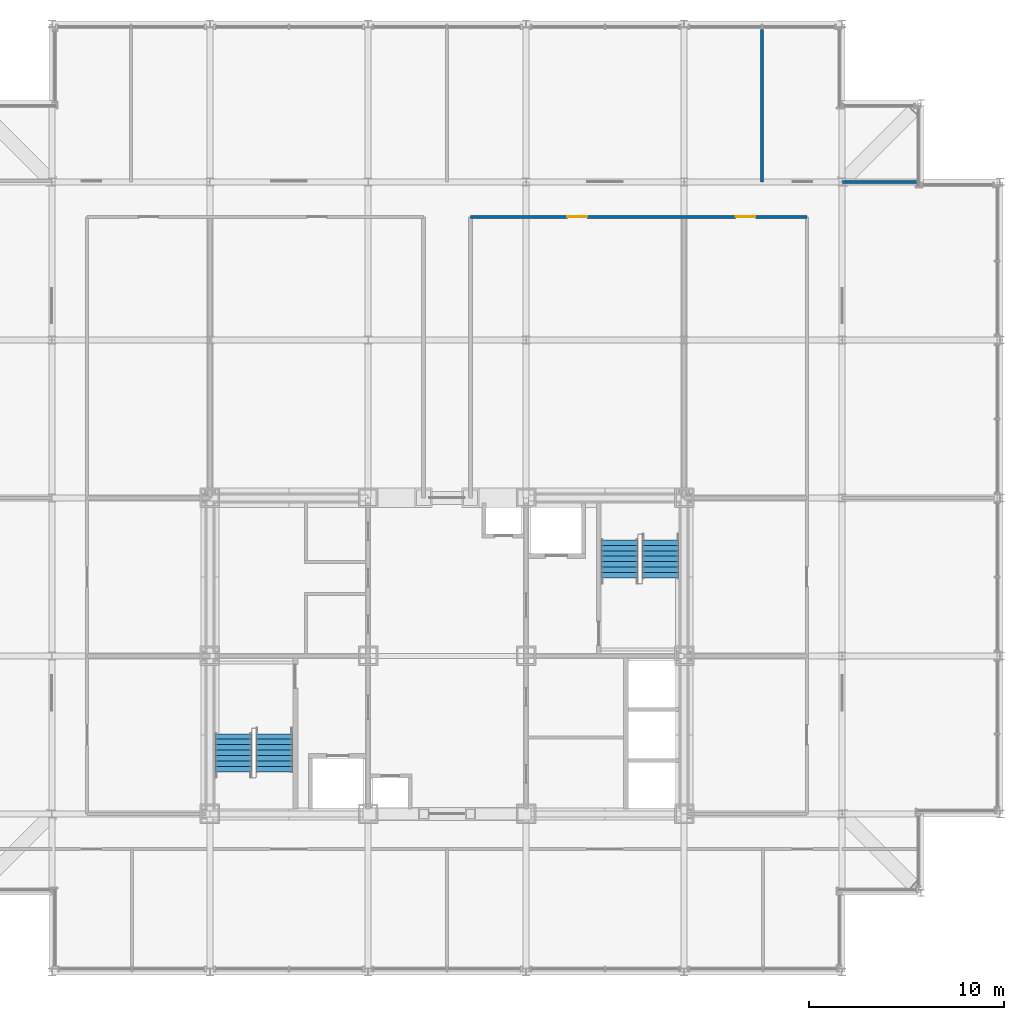
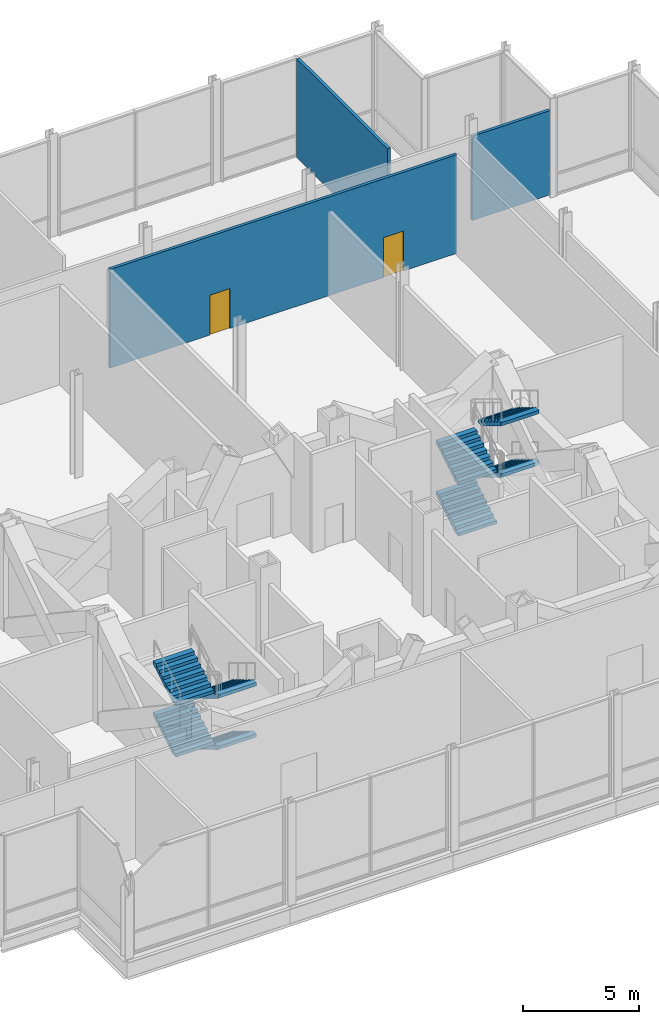
# One storey, part 20 of 21: 8 stair flights, 3 walls, 2 doors, 2 openings, 2 elements without a shape of their own.
"""IFC4 building model written with IfcOpenShell, lengths in metres."""

from ifc_helpers import new_model, si_unit, direction, frame, frame_2d, origin, place, context, subcontext, project, spatial, rectangle, extrude, polygons, source, transform, mapped, material, layer, layer_set, type_object, element, fill, aggregate, save


model = new_model("IFC4")

# Units and contexts
model_context = context("Model", 3, precision=1e-05, world=origin(), true_north=direction((0.0, 1.0)))
body_context = subcontext(model_context, "Body", "Model", "MODEL_VIEW")
ifc_project = project(units=[si_unit("LENGTHUNIT", "METRE"), si_unit("AREAUNIT", "SQUARE_METRE"), si_unit("VOLUMEUNIT", "CUBIC_METRE"), si_unit("PLANEANGLEUNIT", "RADIAN"), si_unit("MASSUNIT", "GRAM", prefix="KILO")], contexts=[model_context])

# Site, building, storey
site_placement = place(None, origin())
site = spatial("IfcSite", under=ifc_project, at=site_placement, CompositionType="ELEMENT")
building_placement = place(site_placement, origin())
building = spatial("IfcBuilding", under=site, at=building_placement, Name="Kopane Lantern Tower", CompositionType="ELEMENT")
storey_placement = place(building_placement, frame((0.0, 0.0, 298.5)))
storey = spatial("IfcBuildingStorey", under=building, at=storey_placement, Name="L76", CompositionType="ELEMENT", Elevation=298.5)

# Wall, openings, doors
ifc_material_1 = material(Name="Gypsum board on steel studs", Category="steel")
ifc_layer_1 = layer(ifc_material_1, 0.14990234375)
ifc_layer_set_1 = layer_set([ifc_layer_1], Name="CORRIDOR WALL 150 EI 60")
wall_type_1 = type_object("IfcWallType", Name="CORRIDOR WALL 150 EI 60", PredefinedType="PARTITIONING", material=ifc_layer_set_1)
wall_1_placement = place(storey_placement, frame((46.800048828125, 54.89990234375, 0.0), z_axis=(0.0, 0.0, 1.0), x_axis=(-1.0, 0.0, 0.0)))
wall_1 = element("IfcWall", 1, at=wall_1_placement, inside=storey, type_object=wall_type_1, Name="Corridor Wall 150 Ei 60 L76", PredefinedType="PARTITIONING", context=body_context, shape_type="SweptSolid", body=[
    extrude(rectangle(XDim=17.239990234375, YDim=0.14990234375, at=frame_2d((8.6201171875, 0.0))), origin(), (0.0, 0.0, 1.0), 5.18994140625),
])
opening_1_placement = place(wall_1_placement, frame((11.27490234375, 0.0, 0.0)))
opening_1 = element("IfcOpeningElement", 2, at=opening_1_placement, cuts=wall_1, Name="Opening L76-007", PredefinedType="OPENING", context=body_context, shape_type="SweptSolid", body=[
    extrude(rectangle(XDim=1.0, YDim=2.10009765625, at=frame_2d((0.5, 1.050048828125))), frame((0.0, 0.0849609375, 0.0), z_axis=(0.0, -1.0, 0.0), x_axis=(1.0, 0.0, 0.0)), (0.0, 0.0, 1.0), 0.169921875),
])
opening_2_placement = place(wall_1_placement, frame((2.64990234375, 0.0, 0.0)))
opening_2 = element("IfcOpeningElement", 3, at=opening_2_placement, cuts=wall_1, Name="Opening L76-008", PredefinedType="OPENING", context=body_context, shape_type="SweptSolid", body=[
    extrude(rectangle(XDim=1.0, YDim=2.10009765625, at=frame_2d((0.5, 1.050048828125))), frame((0.0, 0.0849609375, 0.0), z_axis=(0.0, -1.0, 0.0), x_axis=(1.0, 0.0, 0.0)), (0.0, 0.0, 1.0), 0.169921875),
])
ifc_material_2 = material(Name="Steel door set", Category="steel")
door_type = type_object("IfcDoorType", Name="DOOR D5 1000x2100 FD60", OperationType="SINGLE_SWING_LEFT", PredefinedType="DOOR", material=ifc_material_2)
door_1_placement = place(opening_1_placement, origin())
door_1 = element("IfcDoor", 4, at=door_1_placement, inside=storey, type_object=door_type, Name="Door L76-007", OperationType="SINGLE_SWING_RIGHT", OverallHeight=2.10009765625, OverallWidth=1.0, PredefinedType="DOOR", context=body_context, shape_type="SweptSolid", body=[
    extrude(rectangle(XDim=1.0, YDim=2.10009765625, at=frame_2d((0.5, 1.050048828125))), frame((0.0, 0.02490234375, 0.0), z_axis=(0.0, -1.0, 0.0), x_axis=(1.0, 0.0, 0.0)), (0.0, 0.0, 1.0), 0.050048828125),
])
fill(opening_1, door_1)
door_2_placement = place(opening_2_placement, origin())
door_2 = element("IfcDoor", 5, at=door_2_placement, inside=storey, type_object=door_type, Name="Door L76-008", OperationType="SINGLE_SWING_LEFT", OverallHeight=2.10009765625, OverallWidth=1.0, PredefinedType="DOOR", context=body_context, shape_type="SweptSolid", body=[
    extrude(rectangle(XDim=1.0, YDim=2.10009765625, at=frame_2d((0.5, 1.050048828125))), frame((0.0, 0.02490234375, 0.0), z_axis=(0.0, -1.0, 0.0), x_axis=(1.0, 0.0, 0.0)), (0.0, 0.0, 1.0), 0.050048828125),
])
fill(opening_2, door_2)

# Walls
ifc_material_3 = material(Name="Gypsum board on steel studs", Category="steel")
ifc_layer_2 = layer(ifc_material_3, 0.14990234375)
ifc_layer_set_2 = layer_set([ifc_layer_2], Name="DEMISING WALL 150 EI 60")
wall_type_2 = type_object("IfcWallType", Name="DEMISING WALL 150 EI 60", PredefinedType="PARTITIONING", material=ifc_layer_set_2)
wall_2_placement = place(storey_placement, frame((48.60009765625, 56.699951171875, 0.0), z_axis=(0.0, 0.0, 1.0), x_axis=(1.0, 0.0, 0.0)))
element("IfcWall", 6, at=wall_2_placement, inside=storey, type_object=wall_type_2, Name="Demising Wall 150 Ei 60 L76", PredefinedType="PARTITIONING", context=body_context, shape_type="SweptSolid", body=[
    extrude(rectangle(XDim=3.876953125, YDim=0.14990234375, at=frame_2d((1.9384765625, 0.0))), origin(), (0.0, 0.0, 1.0), 4.427734375),
])
wall_3_placement = place(storey_placement, frame((44.502197265625, 56.699951171875, 0.0), z_axis=(0.0, 0.0, 1.0), x_axis=(0.0, 1.0, 0.0)))
element("IfcWall", 7, at=wall_3_placement, inside=storey, type_object=wall_type_2, Name="Demising Wall 150 Ei 60 L76", PredefinedType="PARTITIONING", context=body_context, shape_type="SweptSolid", body=[
    extrude(rectangle(XDim=7.80712890625, YDim=0.14990234375, at=frame_2d((3.903564453125, 0.0))), origin(), (0.0, 0.0, 1.0), 5.18994140625),
])

# Stair, stair flights
ifc_material_4 = material(Name="Steel S355JR", Category="steel")
stair_type = type_object("IfcStairType", Name="EXIT STAIR 1900 HALF TURN", PredefinedType="HALF_TURN_STAIR", material=ifc_material_4)
stair_1_placement = place(storey_placement, origin())
stair_1 = element("IfcStair", 8, at=stair_1_placement, inside=storey, type_object=stair_type, Name="Exit stair ST1 L76", PredefinedType="HALF_TURN_STAIR")
ifc_material_5 = material(Name="Steel S355JR", Category="steel")
stair_flight_type = type_object("IfcStairFlightType", Name="STAIR FLIGHT 1900 STEEL", PredefinedType="STRAIGHT", material=ifc_material_5)
shared_shape = source(origin(), body_context, "Body", "Tessellation", [
    polygons([(1.959960938, 0.949951172, 1.181152344), (1.679931641, 0.949951172, 1.181152344), (1.679931641, -0.949951172, 1.181152344), (1.959960938, -0.949951172, 1.181152344), (0.290527344, 0.949951172, 0.0), (1.959960938, 0.949951172, 1.006347656), (1.959960938, -0.949951172, 1.006347656), (0.290527344, -0.949951172, 0.0), (0.0, 0.949951172, 0.0), (0.0, -0.949951172, 0.0), (0.280029297, 0.949951172, 0.168701172), (0.0, 0.949951172, 0.168701172), (0.0, -0.949951172, 0.168701172), (0.280029297, -0.949951172, 0.168701172), (0.280029297, 0.949951172, 0.337402344), (0.280029297, -0.949951172, 0.337402344), (0.560058594, 0.949951172, 0.337402344), (0.560058594, -0.949951172, 0.337402344), (0.560058594, 0.949951172, 0.506347656), (0.560058594, -0.949951172, 0.506347656), (0.840087891, 0.949951172, 0.506347656), (0.840087891, -0.949951172, 0.506347656), (0.840087891, 0.949951172, 0.675048828), (0.840087891, -0.949951172, 0.675048828), (1.120117188, 0.949951172, 0.675048828), (1.120117188, -0.949951172, 0.675048828), (1.120117188, 0.949951172, 0.84375), (1.120117188, -0.949951172, 0.84375), (1.399902344, 0.949951172, 0.84375), (1.399902344, -0.949951172, 0.84375), (1.399902344, 0.949951172, 1.012451172), (1.399902344, -0.949951172, 1.012451172), (1.679931641, 0.949951172, 1.012451172), (1.679931641, -0.949951172, 1.012451172), (0.0, 0.0, 0.004559491), (0.0, 0.0, 0.009118982), (0.0, 0.0, 0.013678473), (0.0, 0.0, 0.018237965), (0.0, 0.0, 0.022797456), (0.0, 0.0, 0.027356947), (0.0, 0.0, 0.031916438), (0.0, 0.0, 0.036475929), (0.0, 0.0, 0.04103542), (0.0, 0.0, 0.045594911), (0.0, 0.0, 0.050154402), (0.0, 0.0, 0.054713894), (0.0, 0.0, 0.059273385), (0.0, 0.0, 0.063832876), (0.0, 0.0, 0.068392367), (0.0, 0.0, 0.072951858), (0.0, 0.0, 0.077511349), (0.0, 0.0, 0.08207084), (0.0, 0.0, 0.086630332), (0.0, 0.0, 0.091189823), (0.0, 0.0, 0.095749314), (0.0, 0.0, 0.100308805), (0.0, 0.0, 0.104868296), (0.0, 0.0, 0.109427787), (0.0, 0.0, 0.113987278), (0.0, 0.0, 0.118546769), (0.0, 0.0, 0.123106261), (0.0, 0.0, 0.127665752), (0.0, 0.0, 0.132225243), (0.0, 0.0, 0.136784734), (0.0, 0.0, 0.141344225), (0.0, 0.0, 0.145903716), (0.0, 0.0, 0.150463207), (0.0, 0.0, 0.155022698), (0.0, 0.0, 0.15958219), (0.0, 0.0, 0.164141681), (1.959960938, 0.0, 1.011072107), (1.959960938, 0.0, 1.015796558), (1.959960938, 0.0, 1.020521009), (1.959960938, 0.0, 1.02524546), (1.959960938, 0.0, 1.029969911), (1.959960938, 0.0, 1.034694362), (1.959960938, 0.0, 1.039418813), (1.959960938, 0.0, 1.044143264), (1.959960938, 0.0, 1.048867715), (1.959960938, 0.0, 1.053592166), (1.959960938, 0.0, 1.058316617), (1.959960938, 0.0, 1.063041068), (1.959960938, 0.0, 1.067765519), (1.959960938, 0.0, 1.07248997), (1.959960938, 0.0, 1.077214421), (1.959960938, 0.0, 1.081938872), (1.959960938, 0.0, 1.086663323), (1.959960938, 0.0, 1.091387774), (1.959960938, 0.0, 1.096112226), (1.959960938, 0.0, 1.100836677), (1.959960938, 0.0, 1.105561128), (1.959960938, 0.0, 1.110285579), (1.959960938, 0.0, 1.11501003), (1.959960938, 0.0, 1.119734481), (1.959960938, 0.0, 1.124458932), (1.959960938, 0.0, 1.129183383), (1.959960938, 0.0, 1.133907834), (1.959960938, 0.0, 1.138632285), (1.959960938, 0.0, 1.143356736), (1.959960938, 0.0, 1.148081187), (1.959960938, 0.0, 1.152805638), (1.959960938, 0.0, 1.157530089), (1.959960938, 0.0, 1.16225454), (1.959960938, 0.0, 1.166978991), (1.959960938, 0.0, 1.171703442), (1.959960938, 0.0, 1.176427893)], [[[1, 2, 3]], [[1, 3, 4]], [[5, 6, 7]], [[5, 7, 8]], [[9, 5, 8]], [[9, 8, 10]], [[11, 12, 13]], [[11, 13, 14]], [[15, 11, 14]], [[15, 14, 16]], [[17, 15, 16]], [[17, 16, 18]], [[19, 17, 18]], [[19, 18, 20]], [[21, 19, 20]], [[21, 20, 22]], [[23, 21, 22]], [[23, 22, 24]], [[25, 23, 24]], [[25, 24, 26]], [[27, 25, 26]], [[27, 26, 28]], [[29, 27, 28]], [[29, 28, 30]], [[31, 29, 30]], [[31, 30, 32]], [[33, 31, 32]], [[33, 32, 34]], [[2, 33, 34]], [[2, 34, 3]], [[33, 1, 6]], [[29, 33, 6]], [[2, 1, 33]], [[25, 29, 6]], [[31, 33, 29]], [[5, 21, 25]], [[27, 29, 25]], [[17, 21, 5]], [[23, 25, 21]], [[11, 17, 5]], [[19, 21, 17]], [[9, 11, 5]], [[15, 17, 11]], [[12, 11, 9]], [[6, 5, 25]], [[7, 4, 34]], [[7, 34, 30]], [[34, 4, 3]], [[7, 30, 26]], [[30, 34, 32]], [[26, 22, 8]], [[26, 30, 28]], [[8, 22, 18]], [[22, 26, 24]], [[8, 18, 14]], [[18, 22, 20]], [[8, 14, 10]], [[14, 18, 16]], [[10, 14, 13]], [[26, 8, 7]], [[10, 35, 9]], [[10, 36, 35]], [[9, 35, 36]], [[10, 37, 36]], [[9, 36, 37]], [[10, 38, 37]], [[9, 37, 38]], [[10, 39, 38]], [[9, 38, 39]], [[10, 40, 39]], [[9, 39, 40]], [[10, 41, 40]], [[9, 40, 41]], [[10, 42, 41]], [[9, 41, 42]], [[10, 43, 42]], [[9, 42, 43]], [[10, 44, 43]], [[9, 43, 44]], [[10, 45, 44]], [[9, 44, 45]], [[10, 46, 45]], [[9, 45, 46]], [[10, 47, 46]], [[9, 46, 47]], [[10, 48, 47]], [[9, 47, 48]], [[10, 49, 48]], [[9, 48, 49]], [[10, 50, 49]], [[9, 49, 50]], [[10, 51, 50]], [[9, 50, 51]], [[10, 52, 51]], [[9, 51, 52]], [[10, 53, 52]], [[9, 52, 53]], [[10, 54, 53]], [[9, 53, 54]], [[10, 55, 54]], [[9, 54, 55]], [[10, 56, 55]], [[9, 55, 56]], [[10, 57, 56]], [[9, 56, 57]], [[10, 58, 57]], [[9, 57, 58]], [[10, 59, 58]], [[9, 58, 59]], [[10, 60, 59]], [[9, 59, 60]], [[10, 61, 60]], [[9, 60, 61]], [[10, 62, 61]], [[9, 61, 62]], [[10, 63, 62]], [[9, 62, 63]], [[10, 64, 63]], [[9, 63, 64]], [[10, 65, 64]], [[9, 64, 65]], [[10, 66, 65]], [[9, 65, 66]], [[10, 67, 66]], [[9, 66, 67]], [[10, 68, 67]], [[9, 67, 68]], [[10, 69, 68]], [[9, 68, 69]], [[10, 70, 69]], [[9, 69, 70]], [[10, 13, 70]], [[70, 13, 12]], [[9, 70, 12]], [[7, 6, 71]], [[7, 71, 72]], [[6, 72, 71]], [[7, 72, 73]], [[6, 73, 72]], [[7, 73, 74]], [[6, 74, 73]], [[7, 74, 75]], [[6, 75, 74]], [[7, 75, 76]], [[6, 76, 75]], [[7, 76, 77]], [[6, 77, 76]], [[7, 77, 78]], [[6, 78, 77]], [[7, 78, 79]], [[6, 79, 78]], [[7, 79, 80]], [[6, 80, 79]], [[7, 80, 81]], [[6, 81, 80]], [[7, 81, 82]], [[6, 82, 81]], [[7, 82, 83]], [[6, 83, 82]], [[7, 83, 84]], [[6, 84, 83]], [[7, 84, 85]], [[6, 85, 84]], [[7, 85, 86]], [[6, 86, 85]], [[7, 86, 87]], [[6, 87, 86]], [[7, 87, 88]], [[6, 88, 87]], [[7, 88, 89]], [[6, 89, 88]], [[7, 89, 90]], [[6, 90, 89]], [[7, 90, 91]], [[6, 91, 90]], [[7, 91, 92]], [[6, 92, 91]], [[7, 92, 93]], [[6, 93, 92]], [[7, 93, 94]], [[6, 94, 93]], [[7, 94, 95]], [[6, 95, 94]], [[7, 95, 96]], [[6, 96, 95]], [[7, 96, 97]], [[6, 97, 96]], [[7, 97, 98]], [[6, 98, 97]], [[7, 98, 99]], [[6, 99, 98]], [[7, 99, 100]], [[6, 100, 99]], [[7, 100, 101]], [[6, 101, 100]], [[7, 101, 102]], [[6, 102, 101]], [[7, 102, 103]], [[6, 103, 102]], [[7, 103, 104]], [[6, 104, 103]], [[7, 104, 105]], [[6, 105, 104]], [[7, 105, 106]], [[6, 106, 105]], [[7, 106, 4]], [[106, 1, 4]], [[6, 1, 106]]], closed=True),
])
stair_flight_1_placement = place(storey_placement, frame((19.5, 28.409912109375, 0.0), z_axis=(0.0, 0.0, 1.0), x_axis=(0.0, -1.0, 0.0)))
stair_flight_1 = element("IfcStairFlight", 9, at=stair_flight_1_placement, type_object=stair_flight_type, Name="ST1 flight 1", NumberOfRisers=8, NumberOfTreads=7, PredefinedType="STRAIGHT", RiserHeight=0.16875, TreadLength=0.28, context=body_context, shape_type="MappedRepresentation", body=[
    mapped(shared_shape, transform((0.0, 0.0, 0.0))),
])
stair_flight_2_placement = place(storey_placement, frame((17.39990234375, 26.449951171875, 1.35009765625), z_axis=(0.0, 0.0, 1.0), x_axis=(0.0, 1.0, 0.0)))
stair_flight_2 = element("IfcStairFlight", 10, at=stair_flight_2_placement, type_object=stair_flight_type, Name="ST1 flight 2", NumberOfRisers=8, NumberOfTreads=7, PredefinedType="STRAIGHT", RiserHeight=0.16875, TreadLength=0.28, context=body_context, shape_type="MappedRepresentation", body=[
    mapped(shared_shape, transform((0.0, 0.0, 0.0))),
])
stair_flight_3_placement = place(storey_placement, frame((19.5, 28.409912109375, 2.699951171875), z_axis=(0.0, 0.0, 1.0), x_axis=(0.0, -1.0, 0.0)))
stair_flight_3 = element("IfcStairFlight", 11, at=stair_flight_3_placement, type_object=stair_flight_type, Name="ST1 flight 3", NumberOfRisers=8, NumberOfTreads=7, PredefinedType="STRAIGHT", RiserHeight=0.16875, TreadLength=0.28, context=body_context, shape_type="MappedRepresentation", body=[
    mapped(shared_shape, transform((0.0, 0.0, 0.0))),
])
stair_flight_4_placement = place(storey_placement, frame((17.39990234375, 26.449951171875, 4.050048828125), z_axis=(0.0, 0.0, 1.0), x_axis=(0.0, 1.0, 0.0)))
stair_flight_4 = element("IfcStairFlight", 12, at=stair_flight_4_placement, type_object=stair_flight_type, Name="ST1 flight 4", NumberOfRisers=8, NumberOfTreads=7, PredefinedType="STRAIGHT", RiserHeight=0.16875, TreadLength=0.28, context=body_context, shape_type="MappedRepresentation", body=[
    mapped(shared_shape, transform((0.0, 0.0, 0.0))),
])
aggregate(stair_1, [stair_flight_1, stair_flight_2, stair_flight_3, stair_flight_4])

stair_2_placement = place(storey_placement, origin())
stair_2 = element("IfcStair", 13, at=stair_2_placement, inside=storey, type_object=stair_type, Name="Exit stair ST2 L76", PredefinedType="HALF_TURN_STAIR")
stair_flight_5_placement = place(storey_placement, frame((37.199951171875, 36.389892578125, 0.0), z_axis=(0.0, 0.0, 1.0), x_axis=(0.0, 1.0, 0.0)))
stair_flight_5 = element("IfcStairFlight", 14, at=stair_flight_5_placement, type_object=stair_flight_type, Name="ST2 flight 1", NumberOfRisers=8, NumberOfTreads=7, PredefinedType="STRAIGHT", RiserHeight=0.16875, TreadLength=0.28, context=body_context, shape_type="MappedRepresentation", body=[
    mapped(shared_shape, transform((0.0, 0.0, 0.0))),
])
stair_flight_6_placement = place(storey_placement, frame((39.300048828125, 38.35009765625, 1.35009765625), z_axis=(0.0, 0.0, 1.0), x_axis=(0.0, -1.0, 0.0)))
stair_flight_6 = element("IfcStairFlight", 15, at=stair_flight_6_placement, type_object=stair_flight_type, Name="ST2 flight 2", NumberOfRisers=8, NumberOfTreads=7, PredefinedType="STRAIGHT", RiserHeight=0.16875, TreadLength=0.28, context=body_context, shape_type="MappedRepresentation", body=[
    mapped(shared_shape, transform((0.0, 0.0, 0.0))),
])
stair_flight_7_placement = place(storey_placement, frame((37.199951171875, 36.389892578125, 2.699951171875), z_axis=(0.0, 0.0, 1.0), x_axis=(0.0, 1.0, 0.0)))
stair_flight_7 = element("IfcStairFlight", 16, at=stair_flight_7_placement, type_object=stair_flight_type, Name="ST2 flight 3", NumberOfRisers=8, NumberOfTreads=7, PredefinedType="STRAIGHT", RiserHeight=0.16875, TreadLength=0.28, context=body_context, shape_type="MappedRepresentation", body=[
    mapped(shared_shape, transform((0.0, 0.0, 0.0))),
])
stair_flight_8_placement = place(storey_placement, frame((39.300048828125, 38.35009765625, 4.050048828125), z_axis=(0.0, 0.0, 1.0), x_axis=(0.0, -1.0, 0.0)))
stair_flight_8 = element("IfcStairFlight", 17, at=stair_flight_8_placement, type_object=stair_flight_type, Name="ST2 flight 4", NumberOfRisers=8, NumberOfTreads=7, PredefinedType="STRAIGHT", RiserHeight=0.16875, TreadLength=0.28, context=body_context, shape_type="MappedRepresentation", body=[
    mapped(shared_shape, transform((0.0, 0.0, 0.0))),
])
aggregate(stair_2, [stair_flight_5, stair_flight_6, stair_flight_7, stair_flight_8])

save(model, "model.ifc")
